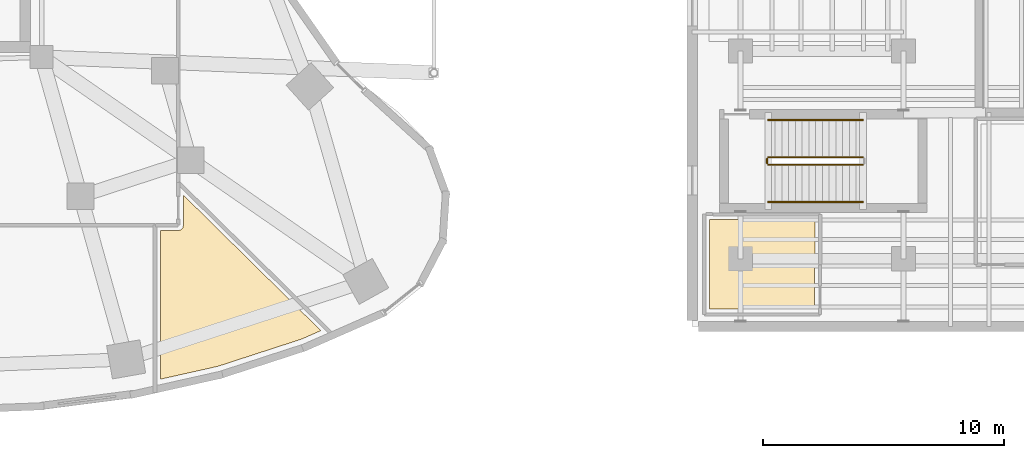
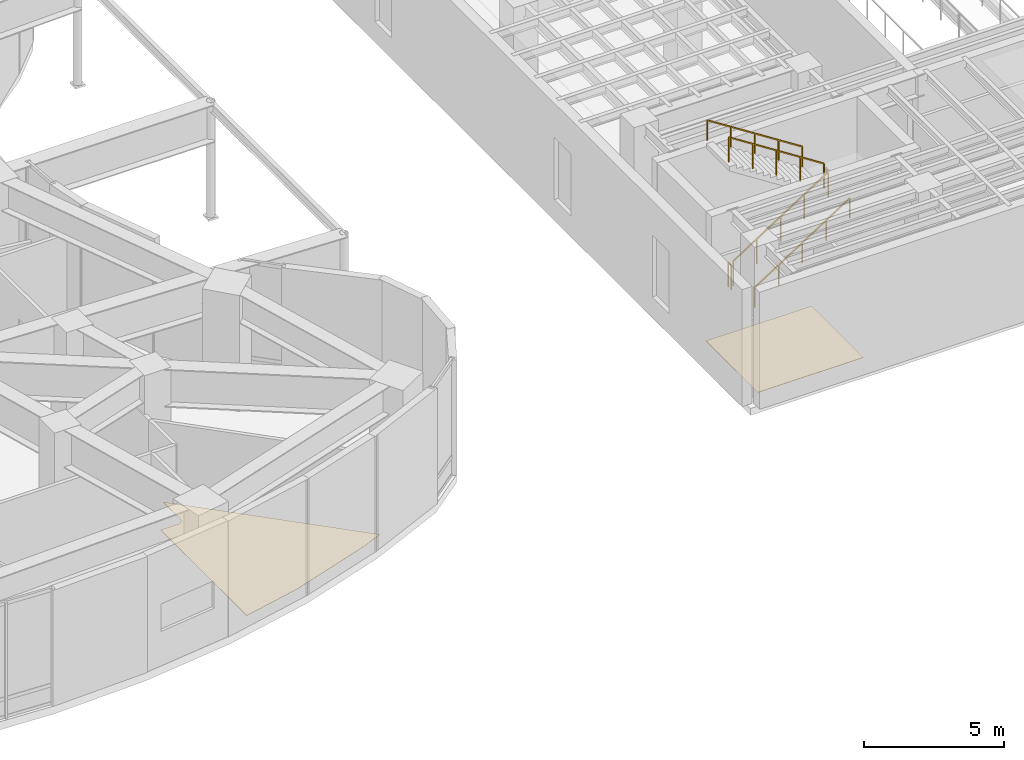
# One storey, part 21 of 23: 5 railings, 2 coverings.
"""IFC4 building model written with IfcOpenShell, lengths in metres."""

from ifc_helpers import new_model, si_unit, direction, frame, origin, origin_2d, place, context, subcontext, project, spatial, polyline, rectangle, outline, extrude, material, layer, layer_set, type_object, element, save


model = new_model("IFC4")

# Units and contexts
model_context = context("Model", 3, precision=1e-05, world=origin(), true_north=direction((0.0, 1.0)))
body_context = subcontext(model_context, "Body", "Model", "MODEL_VIEW")
ifc_project = project(units=[si_unit("LENGTHUNIT", "METRE"), si_unit("AREAUNIT", "SQUARE_METRE"), si_unit("VOLUMEUNIT", "CUBIC_METRE"), si_unit("PLANEANGLEUNIT", "RADIAN"), si_unit("MASSUNIT", "GRAM", prefix="KILO")], contexts=[model_context])

# Site, building, storey
site_placement = place(None, origin())
site = spatial("IfcSite", under=ifc_project, at=site_placement, CompositionType="ELEMENT")
building_placement = place(site_placement, origin())
building = spatial("IfcBuilding", under=site, at=building_placement, Name="Korentha Bioscience Tower", CompositionType="ELEMENT")
storey_placement = place(building_placement, frame((0.0, 0.0, 15.0)))
storey = spatial("IfcBuildingStorey", under=building, at=storey_placement, Name="L03", CompositionType="ELEMENT", Elevation=15.0)

# Covering
ifc_material_1 = material(Name="Vitrified Porcelain Tile", Category="ceramic")
ifc_layer_1 = layer(ifc_material_1, 0.014892578125, Name="Vitrified Porcelain Tile")
ifc_layer_set_1 = layer_set([ifc_layer_1], Name="Vitrified Porcelain Tile (FL-CER)")
covering_type_1 = type_object("IfcCoveringType", Name="Anti-Slip Ceramic Wet-Room Tile Flooring 15", PredefinedType="FLOORING", material=ifc_layer_set_1)
covering_1_placement = place(storey_placement, origin())
element("IfcCovering", 1, at=covering_1_placement, inside=storey, type_object=covering_type_1, Name="L03 L03 Theatre Public Restrooms Floor Finish", PredefinedType="FLOORING", context=body_context, shape_type="SweptSolid", body=[
    extrude(outline(polyline([(65.219970703125, 11.429931640625), (69.580078125, 11.419921875), (69.570068359375, 7.719970703125), (65.219970703125, 7.719970703125), (65.219970703125, 11.429931640625)])), origin(), (0.0, 0.0, 1.0), 0.014892578125),
])

# Railings
ifc_material_2 = material(Name="Stainless Steel 304", Category="steel")
railing_type_1 = type_object("IfcRailingType", Name="Brushed Stainless Stair Handrail 900", PredefinedType="HANDRAIL", material=ifc_material_2)
railing_1_placement = place(storey_placement, frame((67.64990234375, 12.14990234375, 0.179931640625)))
element("IfcRailing", 2, at=railing_1_placement, inside=storey, type_object=railing_type_1, Name="L03 ST-T1 stair handrail 1", PredefinedType="HANDRAIL", context=body_context, shape_type="SweptSolid", body=[
    extrude(rectangle(XDim=0.048095703125, YDim=0.048095703125, at=origin_2d()), frame((0.0, 0.0, 0.8759765625), z_axis=(0.841186985886, 0.0, 0.540744352514), x_axis=(0.0, 1.0, 0.0)), (0.0, 0.0, 1.0), 4.660400390625),
    extrude(rectangle(XDim=0.0419921875, YDim=0.0419921875, at=origin_2d()), origin(), (0.0, 0.0, 1.0), 0.851806640625),
    extrude(rectangle(XDim=0.0419921875, YDim=0.0419921875, at=origin_2d()), frame((0.97998046875, 0.0, 0.6298828125)), (0.0, 0.0, 1.0), 0.851806640625),
    extrude(rectangle(XDim=0.0419921875, YDim=0.0419921875, at=origin_2d()), frame((1.9599609375, 0.0, 1.260009765625)), (0.0, 0.0, 1.0), 0.851806640625),
    extrude(rectangle(XDim=0.0419921875, YDim=0.0419921875, at=origin_2d()), frame((2.940185546875, 0.0, 1.89013671875)), (0.0, 0.0, 1.0), 0.851806640625),
    extrude(rectangle(XDim=0.0419921875, YDim=0.0419921875, at=origin_2d()), frame((3.920166015625, 0.0, 2.52001953125)), (0.0, 0.0, 1.0), 0.851806640625),
])
railing_2_placement = place(storey_placement, frame((71.570068359375, 15.550048828125, 2.8798828125)))
element("IfcRailing", 3, at=railing_2_placement, inside=storey, type_object=railing_type_1, Name="L03 ST-T1 stair handrail 2", PredefinedType="HANDRAIL", context=body_context, shape_type="SweptSolid", body=[
    extrude(rectangle(XDim=0.048095703125, YDim=0.048095703125, at=origin_2d()), frame((0.0, 0.0, 0.8759765625), z_axis=(-0.841186985886, 0.0, 0.540744352514), x_axis=(0.0, -1.0, 0.0)), (0.0, 0.0, 1.0), 4.660400390625),
    extrude(rectangle(XDim=0.0419921875, YDim=0.0419921875, at=origin_2d()), origin(), (0.0, 0.0, 1.0), 0.851806640625),
    extrude(rectangle(XDim=0.0419921875, YDim=0.0419921875, at=origin_2d()), frame((-0.97998046875, 0.0, 0.6298828125)), (0.0, 0.0, 1.0), 0.851806640625),
    extrude(rectangle(XDim=0.0419921875, YDim=0.0419921875, at=origin_2d()), frame((-1.9599609375, 0.0, 1.260009765625)), (0.0, 0.0, 1.0), 0.851806640625),
    extrude(rectangle(XDim=0.0419921875, YDim=0.0419921875, at=origin_2d()), frame((-2.940185546875, 0.0, 1.89013671875)), (0.0, 0.0, 1.0), 0.851806640625),
    extrude(rectangle(XDim=0.0419921875, YDim=0.0419921875, at=origin_2d()), frame((-3.920166015625, 0.0, 2.52001953125)), (0.0, 0.0, 1.0), 0.851806640625),
])
ifc_material_3 = material(Name="Painted Steel S275", Category="steel")
railing_type_2 = type_object("IfcRailingType", Name="Painted Steel Stair Well Guardrail 1100", PredefinedType="GUARDRAIL", material=ifc_material_3)
railing_3_placement = place(storey_placement, frame((67.64990234375, 13.699951171875, 0.179931640625)))
element("IfcRailing", 4, at=railing_3_placement, inside=storey, type_object=railing_type_2, Name="L03 ST-T1 stair guard 1", PredefinedType="GUARDRAIL", context=body_context, shape_type="SweptSolid", body=[
    extrude(rectangle(XDim=0.048095703125, YDim=0.048095703125, at=origin_2d()), frame((0.0, 0.0, 1.076171875), z_axis=(0.841186985886, 0.0, 0.540744352514), x_axis=(0.0, 1.0, 0.0)), (0.0, 0.0, 1.0), 4.660400390625),
    extrude(rectangle(XDim=0.0419921875, YDim=0.0419921875, at=origin_2d()), origin(), (0.0, 0.0, 1.0), 1.052001953125),
    extrude(rectangle(XDim=0.0419921875, YDim=0.0419921875, at=origin_2d()), frame((0.97998046875, 0.0, 0.6298828125)), (0.0, 0.0, 1.0), 1.052001953125),
    extrude(rectangle(XDim=0.0419921875, YDim=0.0419921875, at=origin_2d()), frame((1.9599609375, 0.0, 1.260009765625)), (0.0, 0.0, 1.0), 1.052001953125),
    extrude(rectangle(XDim=0.0419921875, YDim=0.0419921875, at=origin_2d()), frame((2.940185546875, 0.0, 1.89013671875)), (0.0, 0.0, 1.0), 1.052001953125),
    extrude(rectangle(XDim=0.0419921875, YDim=0.0419921875, at=origin_2d()), frame((3.920166015625, 0.0, 2.52001953125)), (0.0, 0.0, 1.0), 1.052001953125),
])
railing_4_placement = place(storey_placement, frame((71.570068359375, 14.0, 2.8798828125)))
element("IfcRailing", 5, at=railing_4_placement, inside=storey, type_object=railing_type_2, Name="L03 ST-T1 stair guard 3", PredefinedType="GUARDRAIL", context=body_context, shape_type="SweptSolid", body=[
    extrude(rectangle(XDim=0.048095703125, YDim=0.048095703125, at=origin_2d()), frame((0.0, 0.0, 1.076171875), z_axis=(-0.841186985886, 0.0, 0.540744352514), x_axis=(0.0, -1.0, 0.0)), (0.0, 0.0, 1.0), 4.660400390625),
    extrude(rectangle(XDim=0.0419921875, YDim=0.0419921875, at=origin_2d()), origin(), (0.0, 0.0, 1.0), 1.052001953125),
    extrude(rectangle(XDim=0.0419921875, YDim=0.0419921875, at=origin_2d()), frame((-0.97998046875, 0.0, 0.6298828125)), (0.0, 0.0, 1.0), 1.052001953125),
    extrude(rectangle(XDim=0.0419921875, YDim=0.0419921875, at=origin_2d()), frame((-1.9599609375, 0.0, 1.260009765625)), (0.0, 0.0, 1.0), 1.052001953125),
    extrude(rectangle(XDim=0.0419921875, YDim=0.0419921875, at=origin_2d()), frame((-2.940185546875, 0.0, 1.89013671875)), (0.0, 0.0, 1.0), 1.052001953125),
    extrude(rectangle(XDim=0.0419921875, YDim=0.0419921875, at=origin_2d()), frame((-3.920166015625, 0.0, 2.52001953125)), (0.0, 0.0, 1.0), 1.052001953125),
])
railing_5_placement = place(storey_placement, frame((67.60009765625, 13.75, 0.0)))
element("IfcRailing", 6, at=railing_5_placement, inside=storey, type_object=railing_type_2, Name="L03 ST-T1 stair guard 4", PredefinedType="GUARDRAIL", context=body_context, shape_type="SweptSolid", body=[
    extrude(rectangle(XDim=0.048095703125, YDim=0.048095703125, at=origin_2d()), frame((0.0, 0.0, 1.076171875), z_axis=(0.0, 1.0, 0.0), x_axis=(-1.0, 0.0, 0.0)), (0.0, 0.0, 1.0), 0.199951171875),
    extrude(rectangle(XDim=0.0419921875, YDim=0.0419921875, at=origin_2d()), origin(), (0.0, 0.0, 1.0), 1.052001953125),
    extrude(rectangle(XDim=0.0419921875, YDim=0.0419921875, at=origin_2d()), frame((0.0, 0.199951171875, 0.0)), (0.0, 0.0, 1.0), 1.052001953125),
])

# Covering
ifc_material_4 = material(Name="Chemical-Resistant Epoxy Resin", Category="polymer")
ifc_layer_2 = layer(ifc_material_4, 0.011962890625, Name="Chemical-Resistant Epoxy Resin")
ifc_layer_set_2 = layer_set([ifc_layer_2], Name="Chemical-Resistant Epoxy Resin (FL-EPX)")
covering_type_2 = type_object("IfcCoveringType", Name="Seamless Epoxy Laboratory Flooring 12", PredefinedType="FLOORING", material=ifc_layer_set_2)
covering_2_placement = place(storey_placement, origin())
element("IfcCovering", 7, at=covering_2_placement, inside=storey, type_object=covering_type_2, Name="L03 Faculty Dining Restaurant 04 Floor Finish", PredefinedType="FLOORING", context=body_context, shape_type="SweptSolid", body=[
    extrude(outline(polyline([(42.47802734375, 4.814697265625), (42.47802734375, 10.969970703125), (43.2333984375, 10.972412109375), (43.318603515625, 11.0029296875), (43.39697265625, 11.081298828125), (43.429931640625, 11.199951171875), (43.429931640625, 12.432373046875), (49.1171875, 6.823974609375), (48.310302734375, 6.47021484375), (44.857177734375, 5.34716796875), (42.47802734375, 4.814697265625)])), origin(), (0.0, 0.0, 1.0), 0.011962890625),
])

save(model, "model.ifc")
